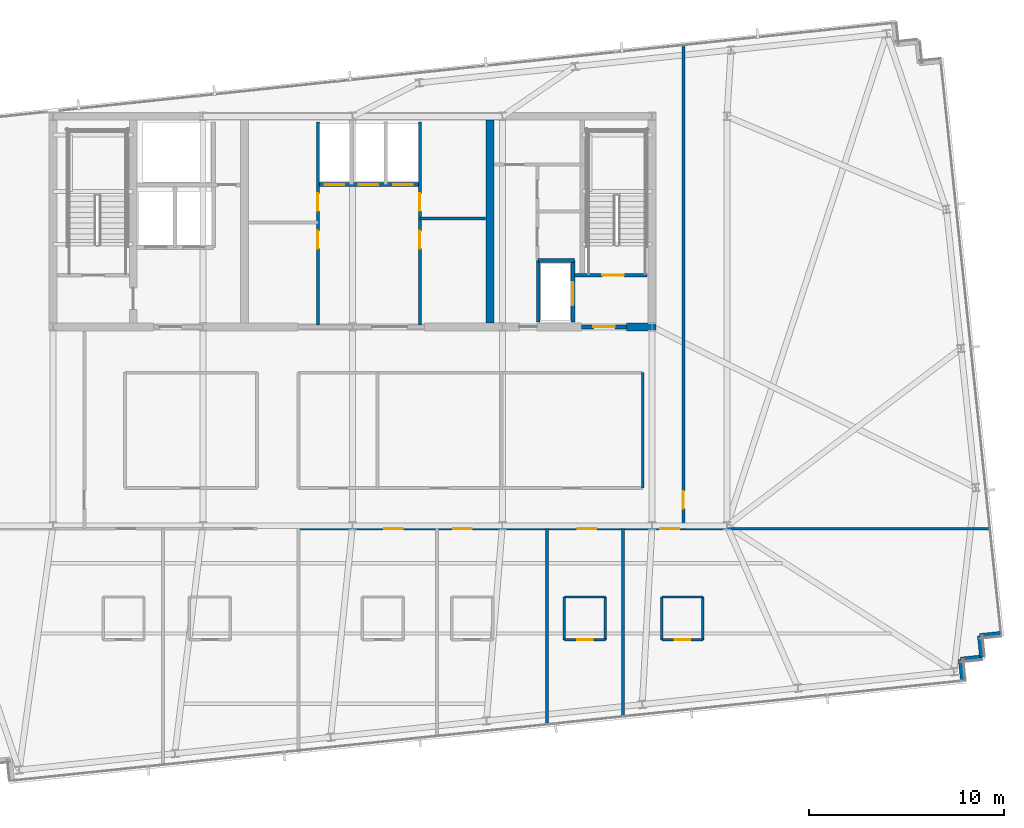
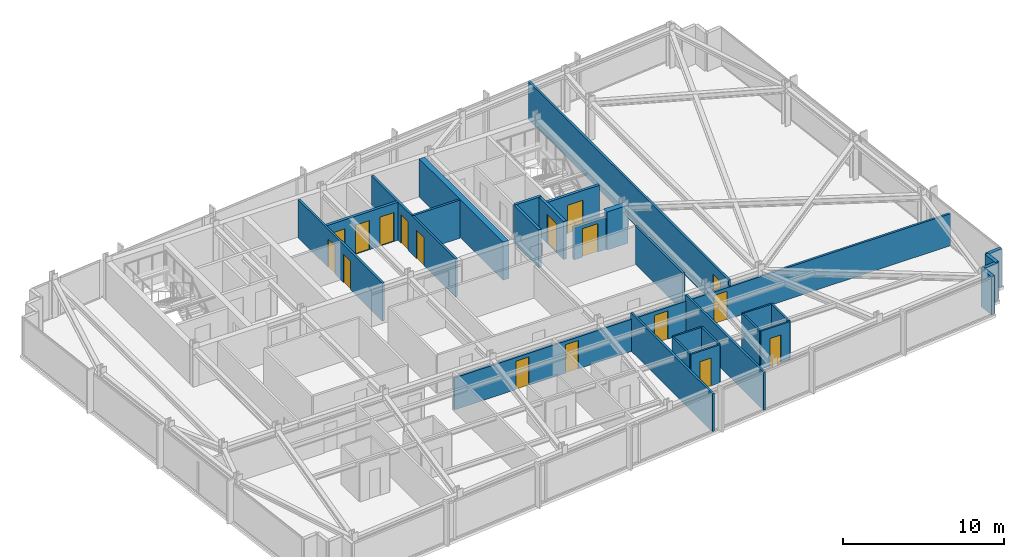
# One storey, part 28 of 33: 28 walls, 17 doors, 17 openings.
"""IFC4 building model written with IfcOpenShell, lengths in metres."""

from ifc_helpers import new_model, si_unit, direction, frame, frame_2d, origin, place, context, subcontext, project, spatial, rectangle, extrude, material, layer, layer_set, type_object, element, fill, save


model = new_model("IFC4")

# Units and contexts
model_context = context("Model", 3, precision=1e-05, world=origin(), true_north=direction((0.0, 1.0)))
body_context = subcontext(model_context, "Body", "Model", "MODEL_VIEW")
ifc_project = project(units=[si_unit("LENGTHUNIT", "METRE"), si_unit("AREAUNIT", "SQUARE_METRE"), si_unit("VOLUMEUNIT", "CUBIC_METRE"), si_unit("PLANEANGLEUNIT", "RADIAN"), si_unit("MASSUNIT", "GRAM", prefix="KILO")], contexts=[model_context])

# Site, building, storey
site_placement = place(None, origin())
site = spatial("IfcSite", under=ifc_project, at=site_placement, CompositionType="ELEMENT")
building_placement = place(site_placement, origin())
building = spatial("IfcBuilding", under=site, at=building_placement, Name="Yelkora Congress Tower", CompositionType="ELEMENT")
storey_placement = place(building_placement, frame((0.0, 0.0, 244.10009765625)))
storey = spatial("IfcBuildingStorey", under=building, at=storey_placement, Name="L68", CompositionType="ELEMENT", Elevation=244.10009765625)

# Walls
ifc_material_1 = material(Name="Concrete C50/60", Category="concrete")
ifc_layer_1 = layer(ifc_material_1, 0.39990234375)
ifc_layer_set_1 = layer_set([ifc_layer_1], Name="Concrete C50/60")
wall_type_1 = type_object("IfcWallType", Name="WALL-CORE-INT-400", PredefinedType="SHEAR", material=ifc_layer_set_1)
wall_1_placement = place(storey_placement, frame((52.449951171875, 35.39990234375, 0.0), z_axis=(0.0, 0.0, 1.0), x_axis=(1.0, 0.0, 0.0)))
element("IfcWall", 1, at=wall_1_placement, inside=storey, type_object=wall_type_1, Name="L68 Rear Core South-East Shear Wall B", PredefinedType="SHEAR", context=body_context, shape_type="SweptSolid", body=[
    extrude(rectangle(XDim=1.510009765625, YDim=0.39990234375, at=frame_2d((0.7548828125, 0.0))), origin(), (0.0, 0.0, 1.0), 2.8798828125),
])
wall_2_placement = place(storey_placement, frame((45.449951171875, 35.60009765625, 0.0), z_axis=(0.0, 0.0, 1.0), x_axis=(0.0, 1.0, 0.0)))
element("IfcWall", 2, at=wall_2_placement, inside=storey, type_object=wall_type_1, Name="L68 Rear Core Cross Shear Wall C3", PredefinedType="SHEAR", context=body_context, shape_type="SweptSolid", body=[
    extrude(rectangle(XDim=10.39990234375, YDim=0.39990234375, at=frame_2d((5.199951171875, 0.0))), origin(), (0.0, 0.0, 1.0), 2.8798828125),
])
ifc_material_2 = material(Name="Concrete C40/50", Category="concrete")
ifc_layer_2 = layer(ifc_material_2, 0.239990234375)
ifc_layer_set_2 = layer_set([ifc_layer_2], Name="Concrete C40/50")
wall_type_2 = type_object("IfcWallType", Name="WALL-EXT-LIMESTONE-240", PredefinedType="SOLIDWALL", material=ifc_layer_set_2)
for number, where, z_axis, x_axis, name in (
    (3, (71.654052734375, 19.67041015625, 0.0), (0.0, 0.0, 1.0), (-0.994521251134, -0.104534592565, 0.0), "L68 Serrated Corner Limestone Pier 16"),
    (4, (70.56005859375, 19.555419921875, 0.0), (0.0, 0.0, 1.0), (0.104534592565, -0.994521251134, 0.0), "L68 Serrated Corner Limestone Pier 17"),
    (5, (70.675048828125, 18.46142578125, 0.0), (0.0, 0.0, 1.0), (-0.994521251134, -0.104534592565, 0.0), "L68 Serrated Corner Limestone Pier 18"),
    (6, (69.5810546875, 18.346435546875, 0.0), (0.0, 0.0, 1.0), (0.104534592565, -0.994521251134, 0.0), "L68 Serrated Corner Limestone Pier 19"),
):
    element("IfcWall", number, at=place(storey_placement, frame(where, z_axis=z_axis, x_axis=x_axis)), inside=storey, type_object=wall_type_2, Name=name, PredefinedType="SOLIDWALL", context=body_context, shape_type="SweptSolid", body=[
        extrude(rectangle(XDim=1.10009765625, YDim=0.239990234375, at=frame_2d((0.550048828125, 0.0))), origin(), (0.0, 0.0, 1.0), 2.8798828125),
    ])
ifc_material_3 = material(Name="Moisture-resistant gypsum partition", Category="gypsum")
ifc_layer_3 = layer(ifc_material_3, 0.1201171875)
ifc_layer_set_3 = layer_set([ifc_layer_3], Name="Moisture-resistant gypsum partition")
wall_type_3 = type_object("IfcWallType", Name="WALL-INT-120-NR", PredefinedType="PARTITIONING", material=ifc_layer_set_3)
wall_3_placement = place(storey_placement, frame((49.261962890625, 21.550048828125, 0.0), z_axis=(0.0, 0.0, 1.0), x_axis=(1.0, 0.0, 0.0)))
element("IfcWall", 7, at=wall_3_placement, inside=storey, type_object=wall_type_3, Name="L68 Partition Wall 42", PredefinedType="PARTITIONING", context=body_context, shape_type="SweptSolid", body=[
    extrude(rectangle(XDim=2.10009765625, YDim=0.1201171875, at=frame_2d((1.050048828125, 0.0))), origin(), (0.0, 0.0, 1.0), 2.8798828125),
])
for number, where, z_axis, x_axis, name in (
    (8, (49.261962890625, 19.35009765625, 0.0), (0.0, 0.0, 1.0), (0.0, 1.0, 0.0), "L68 Partition Wall 43"),
    (9, (51.362060546875, 19.35009765625, 0.0), (0.0, 0.0, 1.0), (0.0, 1.0, 0.0), "L68 Partition Wall 44"),
):
    element("IfcWall", number, at=place(storey_placement, frame(where, z_axis=z_axis, x_axis=x_axis)), inside=storey, type_object=wall_type_3, Name=name, PredefinedType="PARTITIONING", context=body_context, shape_type="SweptSolid", body=[
        extrude(rectangle(XDim=2.199951171875, YDim=0.1201171875, at=frame_2d((1.10009765625, 0.0))), origin(), (0.0, 0.0, 1.0), 2.8798828125),
    ])

# Wall, opening, door
wall_4_placement = place(storey_placement, frame((49.261962890625, 19.35009765625, 0.0), z_axis=(0.0, 0.0, 1.0), x_axis=(1.0, 0.0, 0.0)))
wall_4 = element("IfcWall", 10, at=wall_4_placement, inside=storey, type_object=wall_type_3, Name="L68 Partition Wall 45", PredefinedType="PARTITIONING", context=body_context, shape_type="SweptSolid", body=[
    extrude(rectangle(XDim=2.10009765625, YDim=0.1201171875, at=frame_2d((1.050048828125, 0.0))), origin(), (0.0, 0.0, 1.0), 2.8798828125),
])
opening_1_placement = place(wall_4_placement, frame((0.64990234375, 0.0, 0.0)))
opening_1 = element("IfcOpeningElement", 11, at=opening_1_placement, cuts=wall_4, Name="Opening DR-080B", PredefinedType="OPENING", context=body_context, shape_type="SweptSolid", body=[
    extrude(rectangle(XDim=0.800048828125, YDim=2.10009765625, at=frame_2d((0.39990234375, 1.050048828125))), frame((0.0, 0.070068359375, 0.0), z_axis=(0.0, -1.0, 0.0), x_axis=(1.0, 0.0, 0.0)), (0.0, 0.0, 1.0), 0.14013671875),
])
ifc_material_4 = material(Name="Moisture-sealed en-suite timber door", Category="wood")
door_type_1 = type_object("IfcDoorType", Name="DOOR-BATH-800", OperationType="NOTDEFINED", PredefinedType="DOOR", material=ifc_material_4)
door_1_placement = place(opening_1_placement, origin())
door_1 = element("IfcDoor", 12, at=door_1_placement, inside=storey, type_object=door_type_1, Name="L68 En-suite Door 6", OperationType="SINGLE_SWING_RIGHT", OverallHeight=2.10009765625, OverallWidth=0.800048828125, PredefinedType="DOOR", context=body_context, shape_type="SweptSolid", body=[
    extrude(rectangle(XDim=0.800048828125, YDim=2.10009765625, at=frame_2d((0.39990234375, 1.050048828125))), frame((0.0, 0.02490234375, 0.0), z_axis=(0.0, -1.0, 0.0), x_axis=(1.0, 0.0, 0.0)), (0.0, 0.0, 1.0), 0.050048828125),
])
fill(opening_1, door_1)

# Walls
wall_5_placement = place(storey_placement, frame((54.260009765625, 21.550048828125, 0.0), z_axis=(0.0, 0.0, 1.0), x_axis=(1.0, 0.0, 0.0)))
element("IfcWall", 13, at=wall_5_placement, inside=storey, type_object=wall_type_3, Name="L68 Partition Wall 47", PredefinedType="PARTITIONING", context=body_context, shape_type="SweptSolid", body=[
    extrude(rectangle(XDim=2.10009765625, YDim=0.1201171875, at=frame_2d((1.050048828125, 0.0))), origin(), (0.0, 0.0, 1.0), 2.8798828125),
])
for number, where, z_axis, x_axis, name in (
    (14, (54.260009765625, 19.35009765625, 0.0), (0.0, 0.0, 1.0), (0.0, 1.0, 0.0), "L68 Partition Wall 48"),
    (15, (56.360107421875, 19.35009765625, 0.0), (0.0, 0.0, 1.0), (0.0, 1.0, 0.0), "L68 Partition Wall 49"),
):
    element("IfcWall", number, at=place(storey_placement, frame(where, z_axis=z_axis, x_axis=x_axis)), inside=storey, type_object=wall_type_3, Name=name, PredefinedType="PARTITIONING", context=body_context, shape_type="SweptSolid", body=[
        extrude(rectangle(XDim=2.199951171875, YDim=0.1201171875, at=frame_2d((1.10009765625, 0.0))), origin(), (0.0, 0.0, 1.0), 2.8798828125),
    ])

# Wall, opening, door
wall_6_placement = place(storey_placement, frame((54.260009765625, 19.35009765625, 0.0), z_axis=(0.0, 0.0, 1.0), x_axis=(1.0, 0.0, 0.0)))
wall_6 = element("IfcWall", 16, at=wall_6_placement, inside=storey, type_object=wall_type_3, Name="L68 Partition Wall 50", PredefinedType="PARTITIONING", context=body_context, shape_type="SweptSolid", body=[
    extrude(rectangle(XDim=2.10009765625, YDim=0.1201171875, at=frame_2d((1.050048828125, 0.0))), origin(), (0.0, 0.0, 1.0), 2.8798828125),
])
opening_2_placement = place(wall_6_placement, frame((0.64990234375, 0.0, 0.0)))
opening_2 = element("IfcOpeningElement", 17, at=opening_2_placement, cuts=wall_6, Name="Opening DR-080B", PredefinedType="OPENING", context=body_context, shape_type="SweptSolid", body=[
    extrude(rectangle(XDim=0.800048828125, YDim=2.10009765625, at=frame_2d((0.39990234375, 1.050048828125))), frame((0.0, 0.070068359375, 0.0), z_axis=(0.0, -1.0, 0.0), x_axis=(1.0, 0.0, 0.0)), (0.0, 0.0, 1.0), 0.14013671875),
])
door_2_placement = place(opening_2_placement, origin())
door_2 = element("IfcDoor", 18, at=door_2_placement, inside=storey, type_object=door_type_1, Name="L68 En-suite Door 7", OperationType="SINGLE_SWING_LEFT", OverallHeight=2.10009765625, OverallWidth=0.800048828125, PredefinedType="DOOR", context=body_context, shape_type="SweptSolid", body=[
    extrude(rectangle(XDim=0.800048828125, YDim=2.10009765625, at=frame_2d((0.39990234375, 1.050048828125))), frame((0.0, 0.02490234375, 0.0), z_axis=(0.0, -1.0, 0.0), x_axis=(1.0, 0.0, 0.0)), (0.0, 0.0, 1.0), 0.050048828125),
])
fill(opening_2, door_2)

ifc_material_5 = material(Name="Acoustic metal-stud gypsum partition", Category="gypsum")
ifc_layer_4 = layer(ifc_material_5, 0.14990234375)
ifc_layer_set_4 = layer_set([ifc_layer_4], Name="Acoustic metal-stud gypsum partition")
wall_type_4 = type_object("IfcWallType", Name="WALL-INT-150-NR", PredefinedType="PARTITIONING", material=ifc_layer_set_4)
wall_7_placement = place(storey_placement, frame((55.360107421875, 25.050048828125, 0.0), z_axis=(0.0, 0.0, 1.0), x_axis=(0.0, 1.0, 0.0)))
wall_7 = element("IfcWall", 19, at=wall_7_placement, inside=storey, type_object=wall_type_4, Name="L68 Partition Wall 55", PredefinedType="PARTITIONING", context=body_context, shape_type="SweptSolid", body=[
    extrude(rectangle(XDim=24.86279296875, YDim=0.14990234375, at=frame_2d((12.431396484375, 0.0))), origin(), (0.0, 0.0, 1.0), 2.8798828125),
])
opening_3_placement = place(wall_7_placement, frame((1.030029296875, 0.0, 0.0)))
opening_3 = element("IfcOpeningElement", 20, at=opening_3_placement, cuts=wall_7, Name="Opening DR-090N", PredefinedType="OPENING", context=body_context, shape_type="SweptSolid", body=[
    extrude(rectangle(XDim=0.89990234375, YDim=2.14990234375, at=frame_2d((0.449951171875, 1.074951171875))), frame((0.0, 0.0849609375, 0.0), z_axis=(0.0, -1.0, 0.0), x_axis=(1.0, 0.0, 0.0)), (0.0, 0.0, 1.0), 0.169921875),
])
ifc_material_6 = material(Name="Moisture-resistant laminate door leaf", Category="wood")
door_type_2 = type_object("IfcDoorType", Name="DOOR-INT-900", OperationType="NOTDEFINED", PredefinedType="DOOR", material=ifc_material_6)
door_3_placement = place(opening_3_placement, origin())
door_3 = element("IfcDoor", 21, at=door_3_placement, inside=storey, type_object=door_type_2, Name="L68 E Wing Door", OperationType="SINGLE_SWING_LEFT", OverallHeight=2.14990234375, OverallWidth=0.89990234375, PredefinedType="DOOR", context=body_context, shape_type="SweptSolid", body=[
    extrude(rectangle(XDim=0.89990234375, YDim=2.14990234375, at=frame_2d((0.449951171875, 1.074951171875))), frame((0.0, 0.02490234375, 0.0), z_axis=(0.0, -1.0, 0.0), x_axis=(1.0, 0.0, 0.0)), (0.0, 0.0, 1.0), 0.050048828125),
])
fill(opening_3, door_3)

# Wall
wall_8_placement = place(storey_placement, frame((53.280029296875, 27.1298828125, 0.0), z_axis=(0.0, 0.0, 1.0), x_axis=(0.0, 1.0, 0.0)))
element("IfcWall", 22, at=wall_8_placement, inside=storey, type_object=wall_type_4, Name="L68 Partition Wall 57", PredefinedType="PARTITIONING", context=body_context, shape_type="SweptSolid", body=[
    extrude(rectangle(XDim=5.920166015625, YDim=0.14990234375, at=frame_2d((2.9599609375, 0.0))), origin(), (0.0, 0.0, 1.0), 2.8798828125),
])

# Wall, openings, doors
ifc_material_7 = material(Name="Twin-stud fire-rated gypsum partition", Category="gypsum")
ifc_layer_5 = layer(ifc_material_7, 0.14990234375)
ifc_layer_set_5 = layer_set([ifc_layer_5], Name="Twin-stud fire-rated gypsum partition")
wall_type_5 = type_object("IfcWallType", Name="WALL-INT-150-R60", PredefinedType="PARTITIONING", material=ifc_layer_set_5)
wall_9_placement = place(storey_placement, frame((36.6201171875, 35.5, 0.0), z_axis=(0.0, 0.0, 1.0), x_axis=(0.0, 1.0, 0.0)))
wall_9 = element("IfcWall", 23, at=wall_9_placement, inside=storey, type_object=wall_type_5, Name="L68 Partition Wall 12", PredefinedType="PARTITIONING", context=body_context, shape_type="SweptSolid", body=[
    extrude(rectangle(XDim=10.419921875, YDim=0.14990234375, at=frame_2d((5.2099609375, 0.0))), origin(), (0.0, 0.0, 1.0), 2.8798828125),
])
opening_4_placement = place(wall_9_placement, frame((3.919921875, 0.0, 0.0)))
opening_4 = element("IfcOpeningElement", 24, at=opening_4_placement, cuts=wall_9, Name="Opening DR-090F6", PredefinedType="OPENING", context=body_context, shape_type="SweptSolid", body=[
    extrude(rectangle(XDim=0.89990234375, YDim=2.14990234375, at=frame_2d((0.449951171875, 1.074951171875))), frame((0.0, 0.0849609375, 0.0), z_axis=(0.0, -1.0, 0.0), x_axis=(1.0, 0.0, 0.0)), (0.0, 0.0, 1.0), 0.169921875),
])
opening_5_placement = place(wall_9_placement, frame((5.85009765625, 0.0, 0.0)))
opening_5 = element("IfcOpeningElement", 25, at=opening_5_placement, cuts=wall_9, Name="Opening DR-090F6", PredefinedType="OPENING", context=body_context, shape_type="SweptSolid", body=[
    extrude(rectangle(XDim=0.89990234375, YDim=2.14990234375, at=frame_2d((0.449951171875, 1.074951171875))), frame((0.0, 0.0849609375, 0.0), z_axis=(0.0, -1.0, 0.0), x_axis=(1.0, 0.0, 0.0)), (0.0, 0.0, 1.0), 0.169921875),
])
ifc_material_8 = material(Name="Painted steel riser fire door leaf", Category="steel")
door_type_3 = type_object("IfcDoorType", Name="DOOR-FD60-900", OperationType="NOTDEFINED", PredefinedType="DOOR", material=ifc_material_8)
door_4_placement = place(opening_4_placement, origin())
door_4 = element("IfcDoor", 26, at=door_4_placement, inside=storey, type_object=door_type_3, Name="L68 Telecom Store Door", OperationType="SINGLE_SWING_RIGHT", OverallHeight=2.14990234375, OverallWidth=0.89990234375, PredefinedType="DOOR", context=body_context, shape_type="SweptSolid", body=[
    extrude(rectangle(XDim=0.89990234375, YDim=2.14990234375, at=frame_2d((0.449951171875, 1.074951171875))), frame((0.0, 0.02490234375, 0.0), z_axis=(0.0, -1.0, 0.0), x_axis=(1.0, 0.0, 0.0)), (0.0, 0.0, 1.0), 0.050048828125),
])
fill(opening_4, door_4)
door_5_placement = place(opening_5_placement, origin())
door_5 = element("IfcDoor", 27, at=door_5_placement, inside=storey, type_object=door_type_3, Name="L68 Archive Store Door", OperationType="SINGLE_SWING_LEFT", OverallHeight=2.14990234375, OverallWidth=0.89990234375, PredefinedType="DOOR", context=body_context, shape_type="SweptSolid", body=[
    extrude(rectangle(XDim=0.89990234375, YDim=2.14990234375, at=frame_2d((0.449951171875, 1.074951171875))), frame((0.0, 0.02490234375, 0.0), z_axis=(0.0, -1.0, 0.0), x_axis=(1.0, 0.0, 0.0)), (0.0, 0.0, 1.0), 0.050048828125),
])
fill(opening_5, door_5)

# Wall
wall_10_placement = place(storey_placement, frame((41.85009765625, 40.949951171875, 0.0), z_axis=(0.0, 0.0, 1.0), x_axis=(1.0, 0.0, 0.0)))
element("IfcWall", 28, at=wall_10_placement, inside=storey, type_object=wall_type_5, Name="L68 Partition Wall 13", PredefinedType="PARTITIONING", context=body_context, shape_type="SweptSolid", body=[
    extrude(rectangle(XDim=3.369873046875, YDim=0.14990234375, at=frame_2d((1.68505859375, 0.0))), origin(), (0.0, 0.0, 1.0), 2.8798828125),
])

# Wall, openings, doors
wall_11_placement = place(storey_placement, frame((41.85009765625, 35.5, 0.0), z_axis=(0.0, 0.0, 1.0), x_axis=(0.0, 1.0, 0.0)))
wall_11 = element("IfcWall", 29, at=wall_11_placement, inside=storey, type_object=wall_type_5, Name="L68 Partition Wall 14", PredefinedType="PARTITIONING", context=body_context, shape_type="SweptSolid", body=[
    extrude(rectangle(XDim=10.419921875, YDim=0.14990234375, at=frame_2d((5.2099609375, 0.0))), origin(), (0.0, 0.0, 1.0), 2.8798828125),
])
opening_6_placement = place(wall_11_placement, frame((3.919921875, 0.0, 0.0)))
opening_6 = element("IfcOpeningElement", 30, at=opening_6_placement, cuts=wall_11, Name="Opening DR-090F6", PredefinedType="OPENING", context=body_context, shape_type="SweptSolid", body=[
    extrude(rectangle(XDim=0.89990234375, YDim=2.14990234375, at=frame_2d((0.449951171875, 1.074951171875))), frame((0.0, 0.0849609375, 0.0), z_axis=(0.0, -1.0, 0.0), x_axis=(1.0, 0.0, 0.0)), (0.0, 0.0, 1.0), 0.169921875),
])
opening_7_placement = place(wall_11_placement, frame((5.85009765625, 0.0, 0.0)))
opening_7 = element("IfcOpeningElement", 31, at=opening_7_placement, cuts=wall_11, Name="Opening DR-090F6", PredefinedType="OPENING", context=body_context, shape_type="SweptSolid", body=[
    extrude(rectangle(XDim=0.89990234375, YDim=2.14990234375, at=frame_2d((0.449951171875, 1.074951171875))), frame((0.0, 0.0849609375, 0.0), z_axis=(0.0, -1.0, 0.0), x_axis=(1.0, 0.0, 0.0)), (0.0, 0.0, 1.0), 0.169921875),
])
door_6_placement = place(opening_6_placement, origin())
door_6 = element("IfcDoor", 32, at=door_6_placement, inside=storey, type_object=door_type_3, Name="L68 High-Zone BMS Door", OperationType="SINGLE_SWING_RIGHT", OverallHeight=2.14990234375, OverallWidth=0.89990234375, PredefinedType="DOOR", context=body_context, shape_type="SweptSolid", body=[
    extrude(rectangle(XDim=0.89990234375, YDim=2.14990234375, at=frame_2d((0.449951171875, 1.074951171875))), frame((0.0, 0.02490234375, 0.0), z_axis=(0.0, -1.0, 0.0), x_axis=(1.0, 0.0, 0.0)), (0.0, 0.0, 1.0), 0.050048828125),
])
fill(opening_6, door_6)
door_7_placement = place(opening_7_placement, origin())
door_7 = element("IfcDoor", 33, at=door_7_placement, inside=storey, type_object=door_type_3, Name="L68 Linen Store Door", OperationType="SINGLE_SWING_LEFT", OverallHeight=2.14990234375, OverallWidth=0.89990234375, PredefinedType="DOOR", context=body_context, shape_type="SweptSolid", body=[
    extrude(rectangle(XDim=0.89990234375, YDim=2.14990234375, at=frame_2d((0.449951171875, 1.074951171875))), frame((0.0, 0.02490234375, 0.0), z_axis=(0.0, -1.0, 0.0), x_axis=(1.0, 0.0, 0.0)), (0.0, 0.0, 1.0), 0.050048828125),
])
fill(opening_7, door_7)

# Walls
wall_12_placement = place(storey_placement, frame((48.363037109375, 14.949951171875, 0.0), z_axis=(0.0, 0.0, 1.0), x_axis=(0.0, 1.0, 0.0)))
element("IfcWall", 34, at=wall_12_placement, inside=storey, type_object=wall_type_5, Name="L68 Partition Wall 46", PredefinedType="PARTITIONING", context=body_context, shape_type="SweptSolid", body=[
    extrude(rectangle(XDim=10.1201171875, YDim=0.14990234375, at=frame_2d((5.06005859375, 0.0))), origin(), (0.0, 0.0, 1.0), 2.8798828125),
])
wall_13_placement = place(storey_placement, frame((52.260986328125, 15.359619140625, 0.0), z_axis=(0.0, 0.0, 1.0), x_axis=(0.0, 1.0, 0.0)))
element("IfcWall", 35, at=wall_13_placement, inside=storey, type_object=wall_type_5, Name="L68 Partition Wall 51", PredefinedType="PARTITIONING", context=body_context, shape_type="SweptSolid", body=[
    extrude(rectangle(XDim=9.71044921875, YDim=0.14990234375, at=frame_2d((4.855224609375, 0.0))), origin(), (0.0, 0.0, 1.0), 2.8798828125),
])

# Wall, openings, doors
wall_14_placement = place(storey_placement, frame((35.6201171875, 25.050048828125, 0.0), z_axis=(0.0, 0.0, 1.0), x_axis=(1.0, 0.0, 0.0)))
wall_14 = element("IfcWall", 36, at=wall_14_placement, inside=storey, type_object=wall_type_5, Name="L68 South Spine Wall East", PredefinedType="PARTITIONING", context=body_context, shape_type="SweptSolid", body=[
    extrude(rectangle(XDim=35.52880859375, YDim=0.14990234375, at=frame_2d((17.764404296875, 0.0))), origin(), (0.0, 0.0, 1.0), 2.4248046875),
])
opening_8_placement = place(wall_14_placement, frame((4.3994140625, 0.0, 0.0)))
opening_8 = element("IfcOpeningElement", 37, at=opening_8_placement, cuts=wall_14, Name="Opening DR-095F6", PredefinedType="OPENING", context=body_context, shape_type="SweptSolid", body=[
    extrude(rectangle(XDim=0.949951171875, YDim=2.14990234375, at=frame_2d((0.47509765625, 1.074951171875))), frame((0.0, 0.0849609375, 0.0), z_axis=(0.0, -1.0, 0.0), x_axis=(1.0, 0.0, 0.0)), (0.0, 0.0, 1.0), 0.169921875),
])
opening_9_placement = place(wall_14_placement, frame((7.93701171875, 0.0, 0.0)))
opening_9 = element("IfcOpeningElement", 38, at=opening_9_placement, cuts=wall_14, Name="Opening DR-095F6", PredefinedType="OPENING", context=body_context, shape_type="SweptSolid", body=[
    extrude(rectangle(XDim=0.949951171875, YDim=2.14990234375, at=frame_2d((0.47509765625, 1.074951171875))), frame((0.0, 0.0849609375, 0.0), z_axis=(0.0, -1.0, 0.0), x_axis=(1.0, 0.0, 0.0)), (0.0, 0.0, 1.0), 0.169921875),
])
opening_10_placement = place(wall_14_placement, frame((14.33203125, 0.0, 0.0)))
opening_10 = element("IfcOpeningElement", 39, at=opening_10_placement, cuts=wall_14, Name="Opening DR-095F6", PredefinedType="OPENING", context=body_context, shape_type="SweptSolid", body=[
    extrude(rectangle(XDim=0.949951171875, YDim=2.14990234375, at=frame_2d((0.47509765625, 1.074951171875))), frame((0.0, 0.0849609375, 0.0), z_axis=(0.0, -1.0, 0.0), x_axis=(1.0, 0.0, 0.0)), (0.0, 0.0, 1.0), 0.169921875),
])
opening_11_placement = place(wall_14_placement, frame((18.570068359375, 0.0, 0.0)))
opening_11 = element("IfcOpeningElement", 40, at=opening_11_placement, cuts=wall_14, Name="Opening DR-095F6", PredefinedType="OPENING", context=body_context, shape_type="SweptSolid", body=[
    extrude(rectangle(XDim=0.949951171875, YDim=2.14990234375, at=frame_2d((0.47509765625, 1.074951171875))), frame((0.0, 0.0849609375, 0.0), z_axis=(0.0, -1.0, 0.0), x_axis=(1.0, 0.0, 0.0)), (0.0, 0.0, 1.0), 0.169921875),
])
ifc_material_9 = material(Name="Acoustic oak-veneer fire door leaf", Category="wood")
door_type_4 = type_object("IfcDoorType", Name="DOOR-FD60-950", OperationType="NOTDEFINED", PredefinedType="DOOR", material=ifc_material_9)
door_8_placement = place(opening_8_placement, origin())
door_8 = element("IfcDoor", 41, at=door_8_placement, inside=storey, type_object=door_type_4, Name="L68 Diplomatic Suite 04 Entry Door", OperationType="SINGLE_SWING_RIGHT", OverallHeight=2.14990234375, OverallWidth=0.949951171875, PredefinedType="DOOR", context=body_context, shape_type="SweptSolid", body=[
    extrude(rectangle(XDim=0.949951171875, YDim=2.14990234375, at=frame_2d((0.47509765625, 1.074951171875))), frame((0.0, 0.02490234375, 0.0), z_axis=(0.0, -1.0, 0.0), x_axis=(1.0, 0.0, 0.0)), (0.0, 0.0, 1.0), 0.050048828125),
])
fill(opening_8, door_8)
door_9_placement = place(opening_9_placement, origin())
door_9 = element("IfcDoor", 42, at=door_9_placement, inside=storey, type_object=door_type_4, Name="L68 Diplomatic Suite 05 Entry Door", OperationType="SINGLE_SWING_LEFT", OverallHeight=2.14990234375, OverallWidth=0.949951171875, PredefinedType="DOOR", context=body_context, shape_type="SweptSolid", body=[
    extrude(rectangle(XDim=0.949951171875, YDim=2.14990234375, at=frame_2d((0.47509765625, 1.074951171875))), frame((0.0, 0.02490234375, 0.0), z_axis=(0.0, -1.0, 0.0), x_axis=(1.0, 0.0, 0.0)), (0.0, 0.0, 1.0), 0.050048828125),
])
fill(opening_9, door_9)
door_10_placement = place(opening_10_placement, origin())
door_10 = element("IfcDoor", 43, at=door_10_placement, inside=storey, type_object=door_type_4, Name="L68 Diplomatic Suite 06 Entry Door", OperationType="SINGLE_SWING_RIGHT", OverallHeight=2.14990234375, OverallWidth=0.949951171875, PredefinedType="DOOR", context=body_context, shape_type="SweptSolid", body=[
    extrude(rectangle(XDim=0.949951171875, YDim=2.14990234375, at=frame_2d((0.47509765625, 1.074951171875))), frame((0.0, 0.02490234375, 0.0), z_axis=(0.0, -1.0, 0.0), x_axis=(1.0, 0.0, 0.0)), (0.0, 0.0, 1.0), 0.050048828125),
])
fill(opening_10, door_10)
door_11_placement = place(opening_11_placement, origin())
door_11 = element("IfcDoor", 44, at=door_11_placement, inside=storey, type_object=door_type_4, Name="L68 Diplomatic Suite 07 Entry Door", OperationType="SINGLE_SWING_LEFT", OverallHeight=2.14990234375, OverallWidth=0.949951171875, PredefinedType="DOOR", context=body_context, shape_type="SweptSolid", body=[
    extrude(rectangle(XDim=0.949951171875, YDim=2.14990234375, at=frame_2d((0.47509765625, 1.074951171875))), frame((0.0, 0.02490234375, 0.0), z_axis=(0.0, -1.0, 0.0), x_axis=(1.0, 0.0, 0.0)), (0.0, 0.0, 1.0), 0.050048828125),
])
fill(opening_11, door_11)

ifc_material_10 = material(Name="Autoclaved aerated concrete blockwork", Category="masonry")
ifc_layer_6 = layer(ifc_material_10, 0.199951171875)
ifc_layer_set_6 = layer_set([ifc_layer_6], Name="Autoclaved aerated concrete blockwork")
wall_type_6 = type_object("IfcWallType", Name="WALL-INT-200-R120", PredefinedType="PARTITIONING", material=ifc_layer_set_6)
wall_15_placement = place(storey_placement, frame((36.60009765625, 42.699951171875, 0.0), z_axis=(0.0, 0.0, 1.0), x_axis=(1.0, 0.0, 0.0)))
wall_15 = element("IfcWall", 45, at=wall_15_placement, inside=storey, type_object=wall_type_6, Name="L68 Partition Wall 8", PredefinedType="PARTITIONING", context=body_context, shape_type="SweptSolid", body=[
    extrude(rectangle(XDim=5.25, YDim=0.199951171875, at=frame_2d((2.625, 0.0))), origin(), (0.0, 0.0, 1.0), 2.8798828125),
])
opening_12_placement = place(wall_15_placement, frame((0.375, 0.0, 0.0)))
opening_12 = element("IfcOpeningElement", 46, at=opening_12_placement, cuts=wall_15, Name="Opening LD-PS10", PredefinedType="OPENING", context=body_context, shape_type="SweptSolid", body=[
    extrude(rectangle(XDim=1.0, YDim=2.199951171875, at=frame_2d((0.5, 1.10009765625))), frame((0.0, 0.10986328125, 0.0), z_axis=(0.0, -1.0, 0.0), x_axis=(1.0, 0.0, 0.0)), (0.0, 0.0, 1.0), 0.219970703125),
])
opening_13_placement = place(wall_15_placement, frame((2.125, 0.0, 0.0)))
opening_13 = element("IfcOpeningElement", 47, at=opening_13_placement, cuts=wall_15, Name="Opening LD-PS10", PredefinedType="OPENING", context=body_context, shape_type="SweptSolid", body=[
    extrude(rectangle(XDim=1.0, YDim=2.199951171875, at=frame_2d((0.5, 1.10009765625))), frame((0.0, 0.10986328125, 0.0), z_axis=(0.0, -1.0, 0.0), x_axis=(1.0, 0.0, 0.0)), (0.0, 0.0, 1.0), 0.219970703125),
])
opening_14_placement = place(wall_15_placement, frame((3.875, 0.0, 0.0)))
opening_14 = element("IfcOpeningElement", 48, at=opening_14_placement, cuts=wall_15, Name="Opening LD-PS10", PredefinedType="OPENING", context=body_context, shape_type="SweptSolid", body=[
    extrude(rectangle(XDim=1.0, YDim=2.199951171875, at=frame_2d((0.5, 1.10009765625))), frame((0.0, 0.10986328125, 0.0), z_axis=(0.0, -1.0, 0.0), x_axis=(1.0, 0.0, 0.0)), (0.0, 0.0, 1.0), 0.219970703125),
])
ifc_material_11 = material(Name="Champagne stainless steel landing door", Category="steel")
door_type_5 = type_object("IfcDoorType", Name="DOOR-LIFT-PAS-1000", OperationType="DOUBLE_DOOR_SLIDING", PredefinedType="DOOR", material=ifc_material_11)
door_12_placement = place(opening_12_placement, origin())
door_12 = element("IfcDoor", 49, at=door_12_placement, inside=storey, type_object=door_type_5, Name="Lift Landing Door LF-P9 L68", OperationType="DOUBLE_DOOR_SLIDING", OverallHeight=2.199951171875, OverallWidth=1.0, PredefinedType="DOOR", context=body_context, shape_type="SweptSolid", body=[
    extrude(rectangle(XDim=1.0, YDim=2.199951171875, at=frame_2d((0.5, 1.10009765625))), frame((0.0, 0.02490234375, 0.0), z_axis=(0.0, -1.0, 0.0), x_axis=(1.0, 0.0, 0.0)), (0.0, 0.0, 1.0), 0.050048828125),
])
fill(opening_12, door_12)
door_13_placement = place(opening_13_placement, origin())
door_13 = element("IfcDoor", 50, at=door_13_placement, inside=storey, type_object=door_type_5, Name="Lift Landing Door LF-P10 L68", OperationType="DOUBLE_DOOR_SLIDING", OverallHeight=2.199951171875, OverallWidth=1.0, PredefinedType="DOOR", context=body_context, shape_type="SweptSolid", body=[
    extrude(rectangle(XDim=1.0, YDim=2.199951171875, at=frame_2d((0.5, 1.10009765625))), frame((0.0, 0.02490234375, 0.0), z_axis=(0.0, -1.0, 0.0), x_axis=(1.0, 0.0, 0.0)), (0.0, 0.0, 1.0), 0.050048828125),
])
fill(opening_13, door_13)
door_14_placement = place(opening_14_placement, origin())
door_14 = element("IfcDoor", 51, at=door_14_placement, inside=storey, type_object=door_type_5, Name="Lift Landing Door LF-P11 L68", OperationType="DOUBLE_DOOR_SLIDING", OverallHeight=2.199951171875, OverallWidth=1.0, PredefinedType="DOOR", context=body_context, shape_type="SweptSolid", body=[
    extrude(rectangle(XDim=1.0, YDim=2.199951171875, at=frame_2d((0.5, 1.10009765625))), frame((0.0, 0.02490234375, 0.0), z_axis=(0.0, -1.0, 0.0), x_axis=(1.0, 0.0, 0.0)), (0.0, 0.0, 1.0), 0.050048828125),
])
fill(opening_14, door_14)

# Wall, opening, door
wall_16_placement = place(storey_placement, frame((49.780029296875, 38.050048828125, 0.0), z_axis=(0.0, 0.0, 1.0), x_axis=(1.0, 0.0, 0.0)))
wall_16 = element("IfcWall", 52, at=wall_16_placement, inside=storey, type_object=wall_type_6, Name="L68 Stair ST-02 Enclosure Wall", PredefinedType="PARTITIONING", context=body_context, shape_type="SweptSolid", body=[
    extrude(rectangle(XDim=3.719970703125, YDim=0.199951171875, at=frame_2d((1.85986328125, 0.0))), origin(), (0.0, 0.0, 1.0), 2.8798828125),
])
opening_15_placement = place(wall_16_placement, frame((1.436279296875, 0.0, 0.0)))
opening_15 = element("IfcOpeningElement", 53, at=opening_15_placement, cuts=wall_16, Name="Opening DR-110F9", PredefinedType="OPENING", context=body_context, shape_type="SweptSolid", body=[
    extrude(rectangle(XDim=1.10009765625, YDim=2.14990234375, at=frame_2d((0.550048828125, 1.074951171875))), frame((0.0, 0.10986328125, 0.0), z_axis=(0.0, -1.0, 0.0), x_axis=(1.0, 0.0, 0.0)), (0.0, 0.0, 1.0), 0.219970703125),
])
ifc_material_12 = material(Name="Galvanised steel fire door leaf", Category="steel")
door_type_6 = type_object("IfcDoorType", Name="DOOR-FD90-1100", OperationType="NOTDEFINED", PredefinedType="DOOR", material=ifc_material_12)
door_15_placement = place(opening_15_placement, origin())
door_15 = element("IfcDoor", 54, at=door_15_placement, inside=storey, type_object=door_type_6, Name="L68 Stair ST-02 Entry Door", OperationType="SINGLE_SWING_RIGHT", OverallHeight=2.14990234375, OverallWidth=1.10009765625, PredefinedType="DOOR", context=body_context, shape_type="SweptSolid", body=[
    extrude(rectangle(XDim=1.10009765625, YDim=2.14990234375, at=frame_2d((0.550048828125, 1.074951171875))), frame((0.0, 0.02490234375, 0.0), z_axis=(0.0, -1.0, 0.0), x_axis=(1.0, 0.0, 0.0)), (0.0, 0.0, 1.0), 0.050048828125),
])
fill(opening_15, door_15)

wall_17_placement = place(storey_placement, frame((50.14990234375, 35.39990234375, 0.0), z_axis=(0.0, 0.0, 1.0), x_axis=(1.0, 0.0, 0.0)))
wall_17 = element("IfcWall", 55, at=wall_17_placement, inside=storey, type_object=wall_type_6, Name="L68 Partition Wall 16", PredefinedType="PARTITIONING", context=body_context, shape_type="SweptSolid", body=[
    extrude(rectangle(XDim=2.300048828125, YDim=0.199951171875, at=frame_2d((1.14990234375, 0.0))), origin(), (0.0, 0.0, 1.0), 2.4248046875),
])
opening_16_placement = place(wall_17_placement, frame((0.60009765625, 0.0, 0.0)))
opening_16 = element("IfcOpeningElement", 56, at=opening_16_placement, cuts=wall_17, Name="Opening DR-110F9", PredefinedType="OPENING", context=body_context, shape_type="SweptSolid", body=[
    extrude(rectangle(XDim=1.10009765625, YDim=2.14990234375, at=frame_2d((0.550048828125, 1.074951171875))), frame((0.0, 0.10986328125, 0.0), z_axis=(0.0, -1.0, 0.0), x_axis=(1.0, 0.0, 0.0)), (0.0, 0.0, 1.0), 0.219970703125),
])
door_16_placement = place(opening_16_placement, origin())
door_16 = element("IfcDoor", 57, at=door_16_placement, inside=storey, type_object=door_type_6, Name="L68 East Stair Lobby Door", OperationType="SINGLE_SWING_LEFT", OverallHeight=2.14990234375, OverallWidth=1.10009765625, PredefinedType="DOOR", context=body_context, shape_type="SweptSolid", body=[
    extrude(rectangle(XDim=1.10009765625, YDim=2.14990234375, at=frame_2d((0.550048828125, 1.074951171875))), frame((0.0, 0.02490234375, 0.0), z_axis=(0.0, -1.0, 0.0), x_axis=(1.0, 0.0, 0.0)), (0.0, 0.0, 1.0), 0.050048828125),
])
fill(opening_16, door_16)

wall_18_placement = place(storey_placement, frame((49.699951171875, 35.64990234375, 0.0), z_axis=(0.0, 0.0, 1.0), x_axis=(0.0, 1.0, 0.0)))
wall_18 = element("IfcWall", 58, at=wall_18_placement, inside=storey, type_object=wall_type_6, Name="L68 Partition Wall 17", PredefinedType="PARTITIONING", context=body_context, shape_type="SweptSolid", body=[
    extrude(rectangle(XDim=3.150146484375, YDim=0.199951171875, at=frame_2d((1.5751953125, 0.0))), origin(), (0.0, 0.0, 1.0), 2.8798828125),
])
opening_17_placement = place(wall_18_placement, frame((0.85009765625, 0.0, 0.0)))
opening_17 = element("IfcOpeningElement", 59, at=opening_17_placement, cuts=wall_18, Name="Opening LD-SV12", PredefinedType="OPENING", context=body_context, shape_type="SweptSolid", body=[
    extrude(rectangle(XDim=1.199951171875, YDim=2.199951171875, at=frame_2d((0.60009765625, 1.10009765625))), frame((0.0, 0.10986328125, 0.0), z_axis=(0.0, -1.0, 0.0), x_axis=(1.0, 0.0, 0.0)), (0.0, 0.0, 1.0), 0.219970703125),
])
ifc_material_13 = material(Name="Heavy-duty stainless steel landing door", Category="steel")
door_type_7 = type_object("IfcDoorType", Name="DOOR-LIFT-SRV-1200", OperationType="DOUBLE_DOOR_SLIDING", PredefinedType="DOOR", material=ifc_material_13)
door_17_placement = place(opening_17_placement, origin())
door_17 = element("IfcDoor", 60, at=door_17_placement, inside=storey, type_object=door_type_7, Name="Service Lift Landing Door LF-SV1 L68", OperationType="DOUBLE_DOOR_SLIDING", OverallHeight=2.199951171875, OverallWidth=1.199951171875, PredefinedType="DOOR", context=body_context, shape_type="SweptSolid", body=[
    extrude(rectangle(XDim=1.199951171875, YDim=2.199951171875, at=frame_2d((0.60009765625, 1.10009765625))), frame((0.0, 0.02490234375, 0.0), z_axis=(0.0, -1.0, 0.0), x_axis=(1.0, 0.0, 0.0)), (0.0, 0.0, 1.0), 0.050048828125),
])
fill(opening_17, door_17)

# Walls
wall_19_placement = place(storey_placement, frame((47.919921875, 35.64990234375, 0.0), z_axis=(0.0, 0.0, 1.0), x_axis=(0.0, 1.0, 0.0)))
element("IfcWall", 61, at=wall_19_placement, inside=storey, type_object=wall_type_6, Name="L68 Partition Wall 18", PredefinedType="PARTITIONING", context=body_context, shape_type="SweptSolid", body=[
    extrude(rectangle(XDim=3.150146484375, YDim=0.199951171875, at=frame_2d((1.5751953125, 0.0))), origin(), (0.0, 0.0, 1.0), 2.8798828125),
])
wall_20_placement = place(storey_placement, frame((47.919921875, 38.800048828125, 0.0), z_axis=(0.0, 0.0, 1.0), x_axis=(1.0, 0.0, 0.0)))
element("IfcWall", 62, at=wall_20_placement, inside=storey, type_object=wall_type_6, Name="L68 Partition Wall 19", PredefinedType="PARTITIONING", context=body_context, shape_type="SweptSolid", body=[
    extrude(rectangle(XDim=1.860107421875, YDim=0.199951171875, at=frame_2d((0.93017578125, 0.0))), origin(), (0.0, 0.0, 1.0), 2.8798828125),
])

save(model, "model.ifc")
